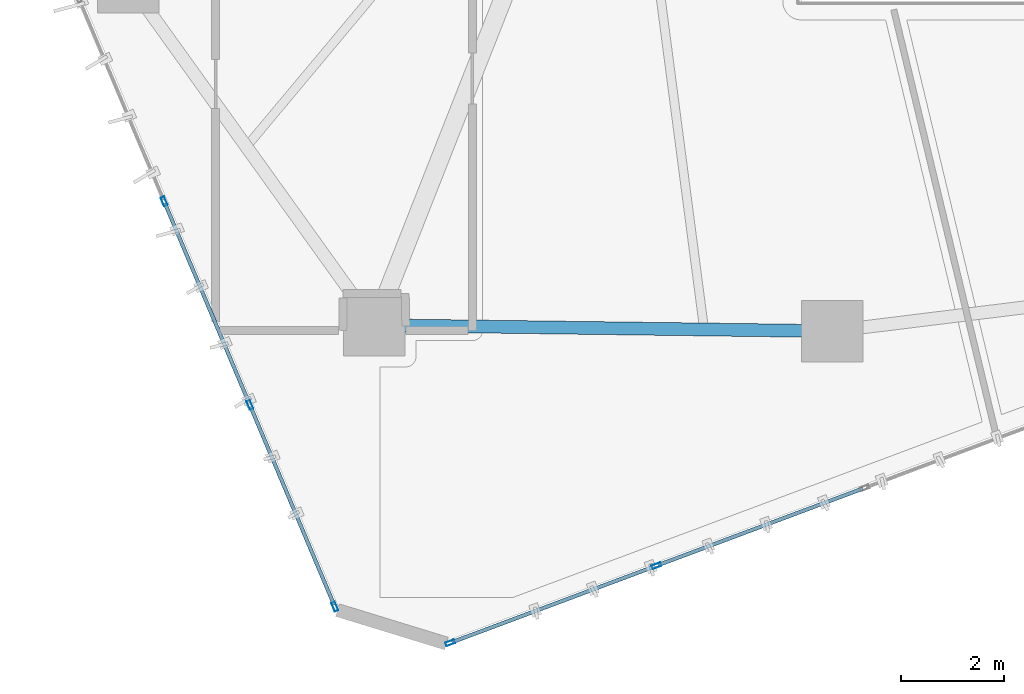
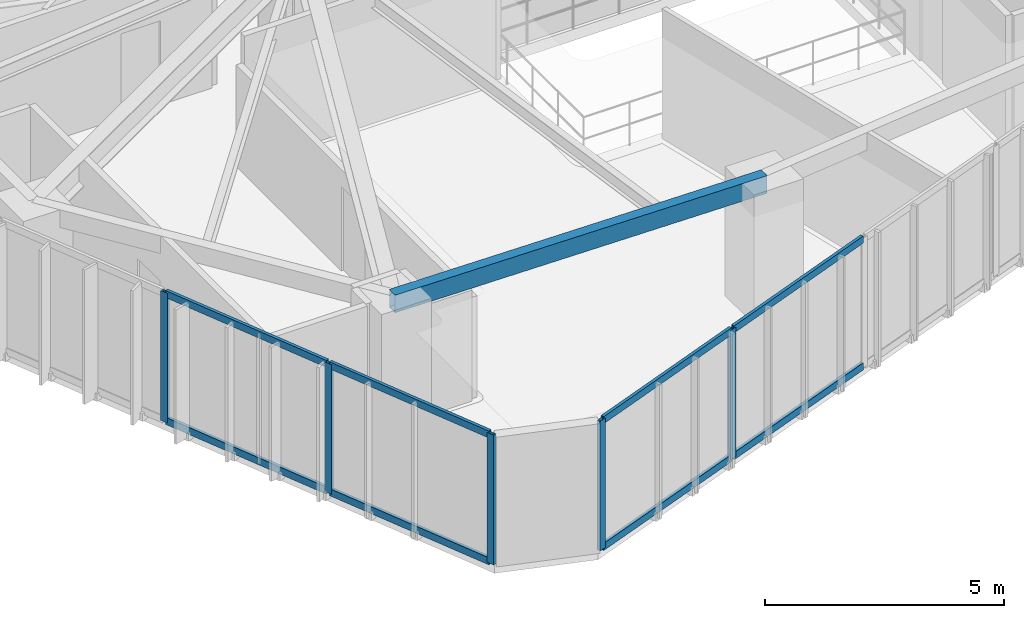
# One storey, part 2 of 22: 13 members, 1 beam, 2 elements without a shape of their own.
"""IFC4 building model written with IfcOpenShell, lengths in metres."""

from ifc_helpers import new_model, si_unit, direction, frame, origin, origin_2d, place, context, subcontext, project, spatial, hollow_rectangle, extrude, source, transform, mapped, material, layer, layer_set, material_profile, profile_set, type_object, type_shapes, element, aggregate, save


model = new_model("IFC4")

# Units and contexts
model_context = context("Model", 3, precision=1e-05, world=origin(), true_north=direction((0.0, 1.0)))
body_context = subcontext(model_context, "Body", "Model", "MODEL_VIEW")
ifc_project = project(units=[si_unit("LENGTHUNIT", "METRE"), si_unit("AREAUNIT", "SQUARE_METRE"), si_unit("VOLUMEUNIT", "CUBIC_METRE"), si_unit("PLANEANGLEUNIT", "RADIAN"), si_unit("MASSUNIT", "GRAM", prefix="KILO")], contexts=[model_context])

# Site, building, storey
site_placement = place(None, origin())
site = spatial("IfcSite", under=ifc_project, at=site_placement, CompositionType="ELEMENT")
building_placement = place(site_placement, origin())
building = spatial("IfcBuilding", under=site, at=building_placement, Name="Talar Marvaseh", CompositionType="ELEMENT")
storey_placement = place(building_placement, frame((0.0, 0.0, 150.60009765625)))
storey = spatial("IfcBuildingStorey", under=building, at=storey_placement, Name="L39", CompositionType="ELEMENT", Elevation=150.60009765625)

# Beam
ifc_material_1 = material(Name="Steel S355", Category="steel")
ifc_material_profile_1 = material_profile(ifc_material_1, hollow_rectangle(XDim=0.25, YDim=0.449951171875, WallThickness=0.01611328125, at=origin_2d()), Name="RHS450x250x16")
ifc_profile_set_1 = profile_set([ifc_material_profile_1], Name="Steel S355")
beam_type = type_object("IfcBeamType", Name="Zone 2 Perimeter Spandrel Beam RHS450x250x16", PredefinedType="SPANDREL", material=ifc_profile_set_1)
beam_placement = place(storey_placement, frame((22.804931640625, 13.18310546875, 3.0849609375), z_axis=(-0.999915383581, 0.013008677034, 0.0), x_axis=(-0.013008677034, -0.999915383581, 0.0)))
element("IfcBeam", 1, at=beam_placement, inside=storey, type_object=beam_type, Name="L39 Zone 2 Perimeter Spandrel Beam RHS450x250x16", PredefinedType="SPANDREL", context=body_context, shape_type="SweptSolid", body=[
    extrude(hollow_rectangle(XDim=0.25, YDim=0.449951171875, WallThickness=0.01611328125, at=origin_2d()), origin(), (0.0, 0.0, 1.0), 8.91455078125),
])

# Curtain wall, members
ifc_material_2 = material(Name="Architectural Aluminium", Category="aluminium")
ifc_layer = layer(ifc_material_2, 0.199951171875)
ifc_layer_set = layer_set([ifc_layer], Name="Architectural Aluminium")
curtain_wall_type = type_object("IfcCurtainWallType", Name="Unitised Acoustic Library Curtain Wall Z2", PredefinedType="NOTDEFINED", material=ifc_layer_set)
curtain_wall_1_placement = place(storey_placement, origin())
curtain_wall_1 = element("IfcCurtainWall", 2, at=curtain_wall_1_placement, inside=storey, type_object=curtain_wall_type, Name="L39 Unitised Acoustic Library Curtain Wall Z2", PredefinedType="NOTDEFINED")
ifc_material_profile_2 = material_profile(ifc_material_2, hollow_rectangle(XDim=0.074951171875, YDim=0.179931640625, WallThickness=0.0048828125, at=origin_2d()), Name="RHS180x75x5")
ifc_profile_set_2 = profile_set([ifc_material_profile_2], Name="Architectural Aluminium")
member_type_1 = type_object("IfcMemberType", Name="Unitised Curtain Wall Transom RHS180x75x5", PredefinedType="USERDEFINED", material=ifc_profile_set_2)
shared_shape_1 = source(origin(), body_context, "Body", "SweptSolid", [
    extrude(hollow_rectangle(XDim=0.074951171875, YDim=0.179931640625, WallThickness=0.0048828125, at=origin_2d()), origin(), (0.0, 0.0, 1.0), 4.222900390625),
])
member_1_placement = place(storey_placement, frame((11.453857421875, 11.7822265625, 0.037353515625), z_axis=(-0.388224996018, 0.92156462197, 0.0), x_axis=(-0.92156462197, -0.388224996018, 0.0)))
member_1 = element("IfcMember", 3, at=member_1_placement, type_object=member_type_1, Name="CW-Z2 transom 2.1", ObjectType="TRANSOM", PredefinedType="USERDEFINED", context=body_context, shape_type="MappedRepresentation", body=[
    mapped(shared_shape_1, transform((0.0, 0.0, 0.0), x_axis=(1.0, 0.0, 0.0), y_axis=(0.0, 1.0, 0.0), z_axis=(0.0, 0.0, 1.0), scale=1.0)),
])
member_2_placement = place(storey_placement, frame((11.453857421875, 11.7822265625, 3.2724609375), z_axis=(-0.388224996018, 0.92156462197, 0.0), x_axis=(-0.92156462197, -0.388224996018, 0.0)))
member_2 = element("IfcMember", 4, at=member_2_placement, type_object=member_type_1, Name="CW-Z2 transom 2.2", ObjectType="TRANSOM", PredefinedType="USERDEFINED", context=body_context, shape_type="MappedRepresentation", body=[
    mapped(shared_shape_1, transform((0.0, 0.0, 0.0), x_axis=(1.0, 0.0, 0.0), y_axis=(0.0, 1.0, 0.0), z_axis=(0.0, 0.0, 1.0), scale=1.0)),
])
shared_shape_2 = source(origin(), body_context, "Body", "SweptSolid", [
    extrude(hollow_rectangle(XDim=0.074951171875, YDim=0.179931640625, WallThickness=0.0048828125, at=origin_2d()), origin(), (0.0, 0.0, 1.0), 4.185546875),
])
member_3_placement = place(storey_placement, frame((13.108154296875, 7.85595703125, 0.037353515625), z_axis=(-0.388244746111, 0.921556301654, 0.0), x_axis=(-0.921556301654, -0.388244746111, 0.0)))
member_3 = element("IfcMember", 5, at=member_3_placement, type_object=member_type_1, Name="CW-Z2 transom 1.1", ObjectType="TRANSOM", PredefinedType="USERDEFINED", context=body_context, shape_type="MappedRepresentation", body=[
    mapped(shared_shape_2, transform((0.0, 0.0, 0.0), x_axis=(1.0, 0.0, 0.0), y_axis=(0.0, 1.0, 0.0), z_axis=(0.0, 0.0, 1.0), scale=1.0)),
])
member_4_placement = place(storey_placement, frame((13.108154296875, 7.85595703125, 3.2724609375), z_axis=(-0.388244746111, 0.921556301654, 0.0), x_axis=(-0.921556301654, -0.388244746111, 0.0)))
member_4 = element("IfcMember", 6, at=member_4_placement, type_object=member_type_1, Name="CW-Z2 transom 1.2", ObjectType="TRANSOM", PredefinedType="USERDEFINED", context=body_context, shape_type="MappedRepresentation", body=[
    mapped(shared_shape_2, transform((0.0, 0.0, 0.0), x_axis=(1.0, 0.0, 0.0), y_axis=(0.0, 1.0, 0.0), z_axis=(0.0, 0.0, 1.0), scale=1.0)),
])

curtain_wall_2_placement = place(storey_placement, origin())
curtain_wall_2 = element("IfcCurtainWall", 7, at=curtain_wall_2_placement, inside=storey, type_object=curtain_wall_type, Name="L39 Unitised Acoustic Library Curtain Wall Z2", PredefinedType="NOTDEFINED")
shared_shape_3 = source(origin(), body_context, "Body", "SweptSolid", [
    extrude(hollow_rectangle(XDim=0.074951171875, YDim=0.179931640625, WallThickness=0.0048828125, at=origin_2d()), origin(), (0.0, 0.0, 1.0), 4.24853515625),
])
member_5_placement = place(storey_placement, frame((23.396240234375, 10.11962890625, 0.037353515625), z_axis=(-0.936614615861, -0.350361329708, 0.0), x_axis=(0.350361329708, -0.936614615861, 0.0)))
member_5 = element("IfcMember", 8, at=member_5_placement, type_object=member_type_1, Name="CW-Z2 transom 4.1", ObjectType="TRANSOM", PredefinedType="USERDEFINED", context=body_context, shape_type="MappedRepresentation", body=[
    mapped(shared_shape_3, transform((0.0, 0.0, 0.0), x_axis=(1.0, 0.0, 0.0), y_axis=(0.0, 1.0, 0.0), z_axis=(0.0, 0.0, 1.0), scale=1.0)),
])
member_6_placement = place(storey_placement, frame((23.396240234375, 10.11962890625, 3.2724609375), z_axis=(-0.936614615861, -0.350361329708, 0.0), x_axis=(0.350361329708, -0.936614615861, 0.0)))
member_6 = element("IfcMember", 9, at=member_6_placement, type_object=member_type_1, Name="CW-Z2 transom 4.2", ObjectType="TRANSOM", PredefinedType="USERDEFINED", context=body_context, shape_type="MappedRepresentation", body=[
    mapped(shared_shape_3, transform((0.0, 0.0, 0.0), x_axis=(1.0, 0.0, 0.0), y_axis=(0.0, 1.0, 0.0), z_axis=(0.0, 0.0, 1.0), scale=1.0)),
])
shared_shape_4 = source(origin(), body_context, "Body", "SweptSolid", [
    extrude(hollow_rectangle(XDim=0.074951171875, YDim=0.179931640625, WallThickness=0.0048828125, at=origin_2d()), origin(), (0.0, 0.0, 1.0), 4.2109375),
])
type_shapes(member_type_1, [shared_shape_1, shared_shape_2, shared_shape_3, shared_shape_4])
member_7_placement = place(storey_placement, frame((19.3466796875, 8.604736328125, 0.037353515625), z_axis=(-0.936617158151, -0.350354533377, 0.0), x_axis=(0.350354533377, -0.936617158151, 0.0)))
member_7 = element("IfcMember", 10, at=member_7_placement, type_object=member_type_1, Name="CW-Z2 transom 5.1", ObjectType="TRANSOM", PredefinedType="USERDEFINED", context=body_context, shape_type="MappedRepresentation", body=[
    mapped(shared_shape_4, transform((0.0, 0.0, 0.0), x_axis=(1.0, 0.0, 0.0), y_axis=(0.0, 1.0, 0.0), z_axis=(0.0, 0.0, 1.0), scale=1.0)),
])
member_8_placement = place(storey_placement, frame((19.3466796875, 8.604736328125, 3.2724609375), z_axis=(-0.936617158151, -0.350354533377, 0.0), x_axis=(0.350354533377, -0.936617158151, 0.0)))
member_8 = element("IfcMember", 11, at=member_8_placement, type_object=member_type_1, Name="CW-Z2 transom 5.2", ObjectType="TRANSOM", PredefinedType="USERDEFINED", context=body_context, shape_type="MappedRepresentation", body=[
    mapped(shared_shape_4, transform((0.0, 0.0, 0.0), x_axis=(1.0, 0.0, 0.0), y_axis=(0.0, 1.0, 0.0), z_axis=(0.0, 0.0, 1.0), scale=1.0)),
])

# Member
ifc_material_profile_3 = material_profile(ifc_material_2, hollow_rectangle(XDim=0.074951171875, YDim=0.179931640625, WallThickness=0.0048828125, at=origin_2d()), Name="RHS180x75x5")
ifc_profile_set_3 = profile_set([ifc_material_profile_3], Name="Architectural Aluminium")
member_type_2 = type_object("IfcMemberType", Name="Unitised Curtain Wall Standard Mullion RHS180x75x5", PredefinedType="MULLION", material=ifc_profile_set_3)
shared_shape_5 = source(origin(), body_context, "Body", "SweptSolid", [
    extrude(hollow_rectangle(XDim=0.074951171875, YDim=0.179931640625, WallThickness=0.0048828125, at=origin_2d()), origin(), (0.0, 0.0, 1.0), 3.309814453125),
])
type_shapes(member_type_2, [shared_shape_5])
member_9_placement = place(storey_placement, frame((13.12255859375, 7.821533203125, 0.0), z_axis=(0.0, 0.0, 1.0), x_axis=(-0.921549948496, -0.388259825924, 0.0)))
member_9 = element("IfcMember", 12, at=member_9_placement, type_object=member_type_2, Name="CW-Z2 mullion 1", PredefinedType="MULLION", context=body_context, shape_type="MappedRepresentation", body=[
    mapped(shared_shape_5, transform((0.0, 0.0, 0.0), x_axis=(1.0, 0.0, 0.0), y_axis=(0.0, 1.0, 0.0), z_axis=(0.0, 0.0, 1.0), scale=1.0)),
])

member_10_placement = place(storey_placement, frame((11.468505859375, 11.74755859375, 0.0), z_axis=(0.0, 0.0, 1.0), x_axis=(-0.921549948496, -0.388259825924, 0.0)))
member_10 = element("IfcMember", 13, at=member_10_placement, type_object=member_type_2, Name="CW-Z2 mullion 2", PredefinedType="MULLION", context=body_context, shape_type="MappedRepresentation", body=[
    mapped(shared_shape_5, transform((0.0, 0.0, 0.0), x_axis=(1.0, 0.0, 0.0), y_axis=(0.0, 1.0, 0.0), z_axis=(0.0, 0.0, 1.0), scale=1.0)),
])

member_11_placement = place(storey_placement, frame((9.7998046875, 15.708251953125, 0.0), z_axis=(0.0, 0.0, 1.0), x_axis=(-0.921549948496, -0.388259825924, 0.0)))
member_11 = element("IfcMember", 14, at=member_11_placement, type_object=member_type_2, Name="CW-Z2 mullion 3", PredefinedType="MULLION", context=body_context, shape_type="MappedRepresentation", body=[
    mapped(shared_shape_5, transform((0.0, 0.0, 0.0), x_axis=(1.0, 0.0, 0.0), y_axis=(0.0, 1.0, 0.0), z_axis=(0.0, 0.0, 1.0), scale=1.0)),
])

aggregate(curtain_wall_1, [member_9, member_10, member_11, member_3, member_4, member_1, member_2])

member_12_placement = place(storey_placement, frame((19.3818359375, 8.617919921875, 0.0), z_axis=(0.0, 0.0, 1.0), x_axis=(0.350352263842, -0.936618007098, 0.0)))
member_12 = element("IfcMember", 15, at=member_12_placement, type_object=member_type_2, Name="CW-Z2 mullion 5", PredefinedType="MULLION", context=body_context, shape_type="MappedRepresentation", body=[
    mapped(shared_shape_5, transform((0.0, 0.0, 0.0), x_axis=(1.0, 0.0, 0.0), y_axis=(0.0, 1.0, 0.0), z_axis=(0.0, 0.0, 1.0), scale=1.0)),
])

member_13_placement = place(storey_placement, frame((15.367431640625, 7.116455078125, 0.0), z_axis=(0.0, 0.0, 1.0), x_axis=(0.350352263842, -0.936618007098, 0.0)))
member_13 = element("IfcMember", 16, at=member_13_placement, type_object=member_type_2, Name="CW-Z2 mullion 6", PredefinedType="MULLION", context=body_context, shape_type="MappedRepresentation", body=[
    mapped(shared_shape_5, transform((0.0, 0.0, 0.0), x_axis=(1.0, 0.0, 0.0), y_axis=(0.0, 1.0, 0.0), z_axis=(0.0, 0.0, 1.0), scale=1.0)),
])

aggregate(curtain_wall_2, [member_12, member_13, member_5, member_6, member_7, member_8])

save(model, "model.ifc")
